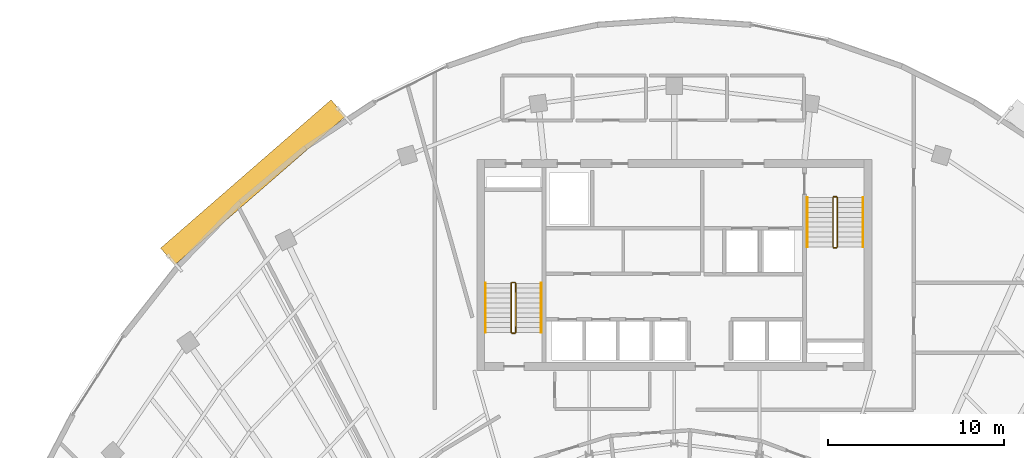
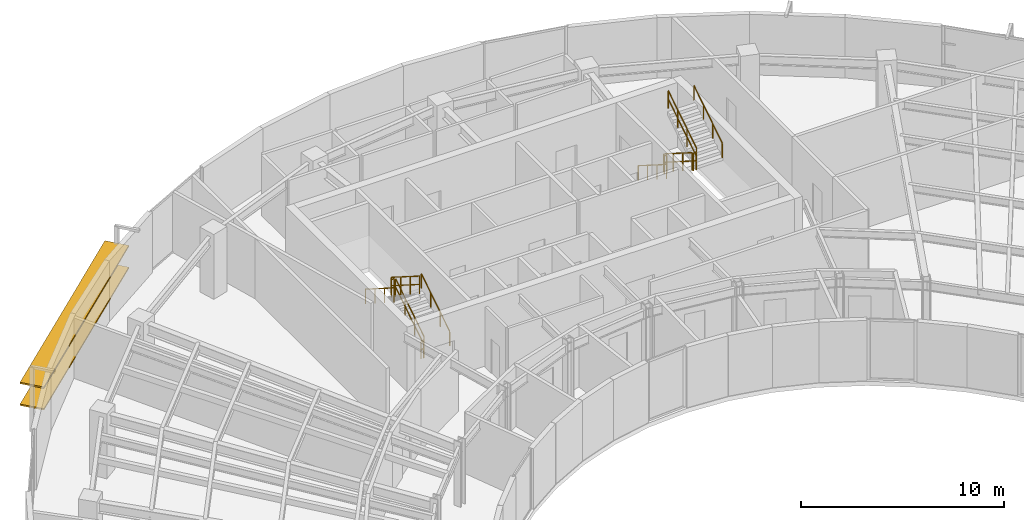
# One storey, part 13 of 14: 12 railings, 2 shading devices.
"""IFC4 building model written with IfcOpenShell, lengths in metres."""

from ifc_helpers import new_model, si_unit, direction, frame, origin, origin_2d, place, context, subcontext, project, spatial, rectangle, extrude, source, transform, mapped, material, material_profile, profile_set, type_object, element, save


model = new_model("IFC4")

# Units and contexts
model_context = context("Model", 3, precision=1e-05, world=origin(), true_north=direction((0.0, 1.0)))
body_context = subcontext(model_context, "Body", "Model", "MODEL_VIEW")
ifc_project = project(units=[si_unit("LENGTHUNIT", "METRE"), si_unit("AREAUNIT", "SQUARE_METRE"), si_unit("VOLUMEUNIT", "CUBIC_METRE"), si_unit("PLANEANGLEUNIT", "RADIAN"), si_unit("MASSUNIT", "GRAM", prefix="KILO")], contexts=[model_context])

# Site, building, storey
site_placement = place(None, origin())
site = spatial("IfcSite", under=ifc_project, at=site_placement, CompositionType="ELEMENT")
building_placement = place(site_placement, origin())
building = spatial("IfcBuilding", under=site, at=building_placement, Name="Breltana Convention Tower", CompositionType="ELEMENT")
storey_placement = place(building_placement, frame((0.0, 0.0, 219.60009765625)))
storey = spatial("IfcBuildingStorey", under=building, at=storey_placement, Name="L53", CompositionType="ELEMENT", Elevation=219.60009765625)

# Railings
ifc_material_1 = material(Name="Steel S275 Painted", Category="steel")
railing_type_1 = type_object("IfcRailingType", Name="RL-STAIR-GUARD-1100", PredefinedType="GUARDRAIL", material=ifc_material_1)
railing_1_placement = place(storey_placement, frame((38.9599609375, 62.360107421875, 0.17724609375)))
element("IfcRailing", 1, at=railing_1_placement, inside=storey, type_object=railing_type_1, Name="L53 ST-1 stair guard 1", PredefinedType="GUARDRAIL", context=body_context, shape_type="SweptSolid", body=[
    extrude(rectangle(XDim=0.048095703125, YDim=0.048095703125, at=origin_2d()), frame((0.0, 0.0, 1.076171875), z_axis=(0.0, 0.844887892834, 0.53494340686), x_axis=(-1.0, 0.0, 0.0)), (0.0, 0.0, 1.0), 3.313720703125),
    extrude(rectangle(XDim=0.048095703125, YDim=0.048095703125, at=origin_2d()), frame((0.0, 0.0, 0.572021484375), z_axis=(0.0, 0.844887892834, 0.53494340686), x_axis=(-1.0, 0.0, 0.0)), (0.0, 0.0, 1.0), 3.313720703125),
    extrude(rectangle(XDim=0.0419921875, YDim=0.0419921875, at=origin_2d()), origin(), (0.0, 0.0, 1.0), 1.052001953125),
    extrude(rectangle(XDim=0.0419921875, YDim=0.0419921875, at=origin_2d()), frame((0.0, 0.933349609375, 0.5908203125)), (0.0, 0.0, 1.0), 1.052001953125),
    extrude(rectangle(XDim=0.0419921875, YDim=0.0419921875, at=origin_2d()), frame((0.0, 1.866455078125, 1.181884765625)), (0.0, 0.0, 1.0), 1.052001953125),
    extrude(rectangle(XDim=0.0419921875, YDim=0.0419921875, at=origin_2d()), frame((0.0, 2.7998046875, 1.772705078125)), (0.0, 0.0, 1.0), 1.052001953125),
])
railing_2_placement = place(storey_placement, frame((38.909912109375, 65.2099609375, 1.949951171875)))
element("IfcRailing", 2, at=railing_2_placement, inside=storey, type_object=railing_type_1, Name="L53 ST-1 stair guard 2", PredefinedType="GUARDRAIL", context=body_context, shape_type="SweptSolid", body=[
    extrude(rectangle(XDim=0.048095703125, YDim=0.048095703125, at=origin_2d()), frame((0.0, 0.0, 1.076171875), z_axis=(-1.0, 0.0, 0.0), x_axis=(0.0, -1.0, 0.0)), (0.0, 0.0, 1.0), 0.14990234375),
    extrude(rectangle(XDim=0.048095703125, YDim=0.048095703125, at=origin_2d()), frame((0.0, 0.0, 0.572021484375), z_axis=(-1.0, 0.0, 0.0), x_axis=(0.0, -1.0, 0.0)), (0.0, 0.0, 1.0), 0.14990234375),
    extrude(rectangle(XDim=0.0419921875, YDim=0.0419921875, at=origin_2d()), origin(), (0.0, 0.0, 1.0), 1.052001953125),
    extrude(rectangle(XDim=0.0419921875, YDim=0.0419921875, at=origin_2d()), frame((-0.14990234375, 0.0, 0.0)), (0.0, 0.0, 1.0), 1.052001953125),
])
railing_3_placement = place(storey_placement, frame((38.7099609375, 65.159912109375, 2.127197265625)))
element("IfcRailing", 3, at=railing_3_placement, inside=storey, type_object=railing_type_1, Name="L53 ST-1 stair guard 3", PredefinedType="GUARDRAIL", context=body_context, shape_type="SweptSolid", body=[
    extrude(rectangle(XDim=0.048095703125, YDim=0.048095703125, at=origin_2d()), frame((0.0, 0.0, 1.076171875), z_axis=(0.0, -0.844887892834, 0.53494340686), x_axis=(1.0, 0.0, 0.0)), (0.0, 0.0, 1.0), 3.313720703125),
    extrude(rectangle(XDim=0.048095703125, YDim=0.048095703125, at=origin_2d()), frame((0.0, 0.0, 0.572021484375), z_axis=(0.0, -0.844887892834, 0.53494340686), x_axis=(1.0, 0.0, 0.0)), (0.0, 0.0, 1.0), 3.313720703125),
    extrude(rectangle(XDim=0.0419921875, YDim=0.0419921875, at=origin_2d()), origin(), (0.0, 0.0, 1.0), 1.052001953125),
    extrude(rectangle(XDim=0.0419921875, YDim=0.0419921875, at=origin_2d()), frame((0.0, -0.933349609375, 0.5908203125)), (0.0, 0.0, 1.0), 1.052001953125),
    extrude(rectangle(XDim=0.0419921875, YDim=0.0419921875, at=origin_2d()), frame((0.0, -1.866455078125, 1.181884765625)), (0.0, 0.0, 1.0), 1.052001953125),
    extrude(rectangle(XDim=0.0419921875, YDim=0.0419921875, at=origin_2d()), frame((0.0, -2.7998046875, 1.772705078125)), (0.0, 0.0, 1.0), 1.052001953125),
])
railing_4_placement = place(storey_placement, frame((38.909912109375, 62.31005859375, 0.0)))
element("IfcRailing", 4, at=railing_4_placement, inside=storey, type_object=railing_type_1, Name="L53 ST-1 stair guard 4", PredefinedType="GUARDRAIL", context=body_context, shape_type="SweptSolid", body=[
    extrude(rectangle(XDim=0.048095703125, YDim=0.048095703125, at=origin_2d()), frame((0.0, 0.0, 1.076171875), z_axis=(-1.0, 0.0, 0.0), x_axis=(0.0, -1.0, 0.0)), (0.0, 0.0, 1.0), 0.14990234375),
    extrude(rectangle(XDim=0.048095703125, YDim=0.048095703125, at=origin_2d()), frame((0.0, 0.0, 0.572021484375), z_axis=(-1.0, 0.0, 0.0), x_axis=(0.0, -1.0, 0.0)), (0.0, 0.0, 1.0), 0.14990234375),
    extrude(rectangle(XDim=0.0419921875, YDim=0.0419921875, at=origin_2d()), origin(), (0.0, 0.0, 1.0), 1.052001953125),
    extrude(rectangle(XDim=0.0419921875, YDim=0.0419921875, at=origin_2d()), frame((-0.14990234375, 0.0, 0.0)), (0.0, 0.0, 1.0), 1.052001953125),
])
railing_5_placement = place(storey_placement, frame((57.0400390625, 70.0400390625, 0.17724609375)))
element("IfcRailing", 5, at=railing_5_placement, inside=storey, type_object=railing_type_1, Name="L53 ST-2 stair guard 1", PredefinedType="GUARDRAIL", context=body_context, shape_type="SweptSolid", body=[
    extrude(rectangle(XDim=0.048095703125, YDim=0.048095703125, at=origin_2d()), frame((0.0, 0.0, 1.076171875), z_axis=(0.0, -0.844908973607, 0.534910110503), x_axis=(1.0, 0.0, 0.0)), (0.0, 0.0, 1.0), 3.31396484375),
    extrude(rectangle(XDim=0.048095703125, YDim=0.048095703125, at=origin_2d()), frame((0.0, 0.0, 0.572021484375), z_axis=(0.0, -0.844908973607, 0.534910110503), x_axis=(1.0, 0.0, 0.0)), (0.0, 0.0, 1.0), 3.31396484375),
    extrude(rectangle(XDim=0.0419921875, YDim=0.0419921875, at=origin_2d()), origin(), (0.0, 0.0, 1.0), 1.052001953125),
    extrude(rectangle(XDim=0.0419921875, YDim=0.0419921875, at=origin_2d()), frame((0.0, -0.933349609375, 0.5908203125)), (0.0, 0.0, 1.0), 1.052001953125),
    extrude(rectangle(XDim=0.0419921875, YDim=0.0419921875, at=origin_2d()), frame((0.0, -1.86669921875, 1.181884765625)), (0.0, 0.0, 1.0), 1.052001953125),
    extrude(rectangle(XDim=0.0419921875, YDim=0.0419921875, at=origin_2d()), frame((0.0, -2.800048828125, 1.772705078125)), (0.0, 0.0, 1.0), 1.052001953125),
])
railing_6_placement = place(storey_placement, frame((57.090087890625, 67.18994140625, 1.949951171875)))
element("IfcRailing", 6, at=railing_6_placement, inside=storey, type_object=railing_type_1, Name="L53 ST-2 stair guard 2", PredefinedType="GUARDRAIL", context=body_context, shape_type="SweptSolid", body=[
    extrude(rectangle(XDim=0.048095703125, YDim=0.048095703125, at=origin_2d()), frame((0.0, 0.0, 1.076171875), z_axis=(1.0, 0.0, 0.0), x_axis=(0.0, 1.0, 0.0)), (0.0, 0.0, 1.0), 0.14990234375),
    extrude(rectangle(XDim=0.048095703125, YDim=0.048095703125, at=origin_2d()), frame((0.0, 0.0, 0.572021484375), z_axis=(1.0, 0.0, 0.0), x_axis=(0.0, 1.0, 0.0)), (0.0, 0.0, 1.0), 0.14990234375),
    extrude(rectangle(XDim=0.0419921875, YDim=0.0419921875, at=origin_2d()), origin(), (0.0, 0.0, 1.0), 1.052001953125),
    extrude(rectangle(XDim=0.0419921875, YDim=0.0419921875, at=origin_2d()), frame((0.14990234375, 0.0, 0.0)), (0.0, 0.0, 1.0), 1.052001953125),
])
railing_7_placement = place(storey_placement, frame((57.2900390625, 67.239990234375, 2.127197265625)))
element("IfcRailing", 7, at=railing_7_placement, inside=storey, type_object=railing_type_1, Name="L53 ST-2 stair guard 3", PredefinedType="GUARDRAIL", context=body_context, shape_type="SweptSolid", body=[
    extrude(rectangle(XDim=0.048095703125, YDim=0.048095703125, at=origin_2d()), frame((0.0, 0.0, 1.076171875), z_axis=(0.0, 0.844908973607, 0.534910110503), x_axis=(-1.0, 0.0, 0.0)), (0.0, 0.0, 1.0), 3.31396484375),
    extrude(rectangle(XDim=0.048095703125, YDim=0.048095703125, at=origin_2d()), frame((0.0, 0.0, 0.572021484375), z_axis=(0.0, 0.844908973607, 0.534910110503), x_axis=(-1.0, 0.0, 0.0)), (0.0, 0.0, 1.0), 3.31396484375),
    extrude(rectangle(XDim=0.0419921875, YDim=0.0419921875, at=origin_2d()), origin(), (0.0, 0.0, 1.0), 1.052001953125),
    extrude(rectangle(XDim=0.0419921875, YDim=0.0419921875, at=origin_2d()), frame((0.0, 0.933349609375, 0.5908203125)), (0.0, 0.0, 1.0), 1.052001953125),
    extrude(rectangle(XDim=0.0419921875, YDim=0.0419921875, at=origin_2d()), frame((0.0, 1.86669921875, 1.181884765625)), (0.0, 0.0, 1.0), 1.052001953125),
    extrude(rectangle(XDim=0.0419921875, YDim=0.0419921875, at=origin_2d()), frame((0.0, 2.800048828125, 1.772705078125)), (0.0, 0.0, 1.0), 1.052001953125),
])
railing_8_placement = place(storey_placement, frame((57.090087890625, 70.090087890625, 0.0)))
element("IfcRailing", 8, at=railing_8_placement, inside=storey, type_object=railing_type_1, Name="L53 ST-2 stair guard 4", PredefinedType="GUARDRAIL", context=body_context, shape_type="SweptSolid", body=[
    extrude(rectangle(XDim=0.048095703125, YDim=0.048095703125, at=origin_2d()), frame((0.0, 0.0, 1.076171875), z_axis=(1.0, 0.0, 0.0), x_axis=(0.0, 1.0, 0.0)), (0.0, 0.0, 1.0), 0.14990234375),
    extrude(rectangle(XDim=0.048095703125, YDim=0.048095703125, at=origin_2d()), frame((0.0, 0.0, 0.572021484375), z_axis=(1.0, 0.0, 0.0), x_axis=(0.0, 1.0, 0.0)), (0.0, 0.0, 1.0), 0.14990234375),
    extrude(rectangle(XDim=0.0419921875, YDim=0.0419921875, at=origin_2d()), origin(), (0.0, 0.0, 1.0), 1.052001953125),
    extrude(rectangle(XDim=0.0419921875, YDim=0.0419921875, at=origin_2d()), frame((0.14990234375, 0.0, 0.0)), (0.0, 0.0, 1.0), 1.052001953125),
])
ifc_material_2 = material(Name="Stainless Steel 316L", Category="steel")
railing_type_2 = type_object("IfcRailingType", Name="RL-STAIR-HANDRAIL-900", PredefinedType="HANDRAIL", material=ifc_material_2)
railing_9_placement = place(storey_placement, frame((40.419921875, 62.360107421875, 0.17724609375)))
element("IfcRailing", 9, at=railing_9_placement, inside=storey, type_object=railing_type_2, Name="L53 ST-1 stair handrail 1", PredefinedType="HANDRAIL", context=body_context, shape_type="SweptSolid", body=[
    extrude(rectangle(XDim=0.048095703125, YDim=0.048095703125, at=origin_2d()), frame((0.0, 0.0, 0.8759765625), z_axis=(0.0, 0.844887892834, 0.53494340686), x_axis=(-1.0, 0.0, 0.0)), (0.0, 0.0, 1.0), 3.313720703125),
    extrude(rectangle(XDim=0.0419921875, YDim=0.0419921875, at=origin_2d()), origin(), (0.0, 0.0, 1.0), 0.851806640625),
    extrude(rectangle(XDim=0.0419921875, YDim=0.0419921875, at=origin_2d()), frame((0.0, 0.933349609375, 0.5908203125)), (0.0, 0.0, 1.0), 0.851806640625),
    extrude(rectangle(XDim=0.0419921875, YDim=0.0419921875, at=origin_2d()), frame((0.0, 1.866455078125, 1.181884765625)), (0.0, 0.0, 1.0), 0.851806640625),
    extrude(rectangle(XDim=0.0419921875, YDim=0.0419921875, at=origin_2d()), frame((0.0, 2.7998046875, 1.772705078125)), (0.0, 0.0, 1.0), 0.851806640625),
])
railing_10_placement = place(storey_placement, frame((37.25, 65.159912109375, 2.127197265625)))
element("IfcRailing", 10, at=railing_10_placement, inside=storey, type_object=railing_type_2, Name="L53 ST-1 stair handrail 2", PredefinedType="HANDRAIL", context=body_context, shape_type="SweptSolid", body=[
    extrude(rectangle(XDim=0.048095703125, YDim=0.048095703125, at=origin_2d()), frame((0.0, 0.0, 0.8759765625), z_axis=(0.0, -0.844887892834, 0.53494340686), x_axis=(1.0, 0.0, 0.0)), (0.0, 0.0, 1.0), 3.313720703125),
    extrude(rectangle(XDim=0.0419921875, YDim=0.0419921875, at=origin_2d()), origin(), (0.0, 0.0, 1.0), 0.851806640625),
    extrude(rectangle(XDim=0.0419921875, YDim=0.0419921875, at=origin_2d()), frame((0.0, -0.933349609375, 0.5908203125)), (0.0, 0.0, 1.0), 0.851806640625),
    extrude(rectangle(XDim=0.0419921875, YDim=0.0419921875, at=origin_2d()), frame((0.0, -1.866455078125, 1.181884765625)), (0.0, 0.0, 1.0), 0.851806640625),
    extrude(rectangle(XDim=0.0419921875, YDim=0.0419921875, at=origin_2d()), frame((0.0, -2.7998046875, 1.772705078125)), (0.0, 0.0, 1.0), 0.851806640625),
])
railing_11_placement = place(storey_placement, frame((55.580078125, 70.0400390625, 0.17724609375)))
element("IfcRailing", 11, at=railing_11_placement, inside=storey, type_object=railing_type_2, Name="L53 ST-2 stair handrail 1", PredefinedType="HANDRAIL", context=body_context, shape_type="SweptSolid", body=[
    extrude(rectangle(XDim=0.048095703125, YDim=0.048095703125, at=origin_2d()), frame((0.0, 0.0, 0.8759765625), z_axis=(0.0, -0.844908973607, 0.534910110503), x_axis=(1.0, 0.0, 0.0)), (0.0, 0.0, 1.0), 3.31396484375),
    extrude(rectangle(XDim=0.0419921875, YDim=0.0419921875, at=origin_2d()), origin(), (0.0, 0.0, 1.0), 0.851806640625),
    extrude(rectangle(XDim=0.0419921875, YDim=0.0419921875, at=origin_2d()), frame((0.0, -0.933349609375, 0.5908203125)), (0.0, 0.0, 1.0), 0.851806640625),
    extrude(rectangle(XDim=0.0419921875, YDim=0.0419921875, at=origin_2d()), frame((0.0, -1.86669921875, 1.181884765625)), (0.0, 0.0, 1.0), 0.851806640625),
    extrude(rectangle(XDim=0.0419921875, YDim=0.0419921875, at=origin_2d()), frame((0.0, -2.800048828125, 1.772705078125)), (0.0, 0.0, 1.0), 0.851806640625),
])
railing_12_placement = place(storey_placement, frame((58.75, 67.239990234375, 2.127197265625)))
element("IfcRailing", 12, at=railing_12_placement, inside=storey, type_object=railing_type_2, Name="L53 ST-2 stair handrail 2", PredefinedType="HANDRAIL", context=body_context, shape_type="SweptSolid", body=[
    extrude(rectangle(XDim=0.048095703125, YDim=0.048095703125, at=origin_2d()), frame((0.0, 0.0, 0.8759765625), z_axis=(0.0, 0.844908973607, 0.534910110503), x_axis=(-1.0, 0.0, 0.0)), (0.0, 0.0, 1.0), 3.31396484375),
    extrude(rectangle(XDim=0.0419921875, YDim=0.0419921875, at=origin_2d()), origin(), (0.0, 0.0, 1.0), 0.851806640625),
    extrude(rectangle(XDim=0.0419921875, YDim=0.0419921875, at=origin_2d()), frame((0.0, 0.933349609375, 0.5908203125)), (0.0, 0.0, 1.0), 0.851806640625),
    extrude(rectangle(XDim=0.0419921875, YDim=0.0419921875, at=origin_2d()), frame((0.0, 1.86669921875, 1.181884765625)), (0.0, 0.0, 1.0), 0.851806640625),
    extrude(rectangle(XDim=0.0419921875, YDim=0.0419921875, at=origin_2d()), frame((0.0, 2.800048828125, 1.772705078125)), (0.0, 0.0, 1.0), 0.851806640625),
])

# Shading devices
ifc_material_3 = material(Name="Limestone Warm Buff Honed", Category="masonry")
ifc_material_profile = material_profile(ifc_material_3, rectangle(XDim=1.25, YDim=0.090087890625, at=origin_2d()), Name="STN-LVR-1250X90")
ifc_profile_set = profile_set([ifc_material_profile], Name="Limestone Warm Buff Honed")
shading_device_type = type_object("IfcShadingDeviceType", Name="SHD-OUTER-SKIN-LIMESTONE-1250", PredefinedType="JALOUSIE", material=ifc_profile_set)
shared_shape = source(origin(), body_context, "Body", "SweptSolid", [
    extrude(rectangle(XDim=1.25, YDim=0.090087890625, at=origin_2d()), origin(), (0.0, 0.0, 1.0), 12.87255859375),
])
for number, where, z_axis, x_axis, name in (
    (13, (19.147216796875, 66.69140625, 1.310302734375), (0.754370287864, 0.656449136482, 0.0), (-0.656449136482, 0.754370287864, 0.0), "L53 outer skin warm limestone louvre 1.1"),
    (14, (19.147216796875, 66.69140625, 2.62060546875), (0.754370287864, 0.656449136482, 0.0), (-0.656449136482, 0.754370287864, 0.0), "L53 outer skin warm limestone louvre 1.2"),
):
    element("IfcShadingDevice", number, at=place(storey_placement, frame(where, z_axis=z_axis, x_axis=x_axis)), inside=storey, type_object=shading_device_type, Name=name, PredefinedType="JALOUSIE", context=body_context, shape_type="MappedRepresentation", body=[
        mapped(shared_shape, transform((0.0, 0.0, 0.0), scale=1.0)),
    ])

save(model, "model.ifc")
